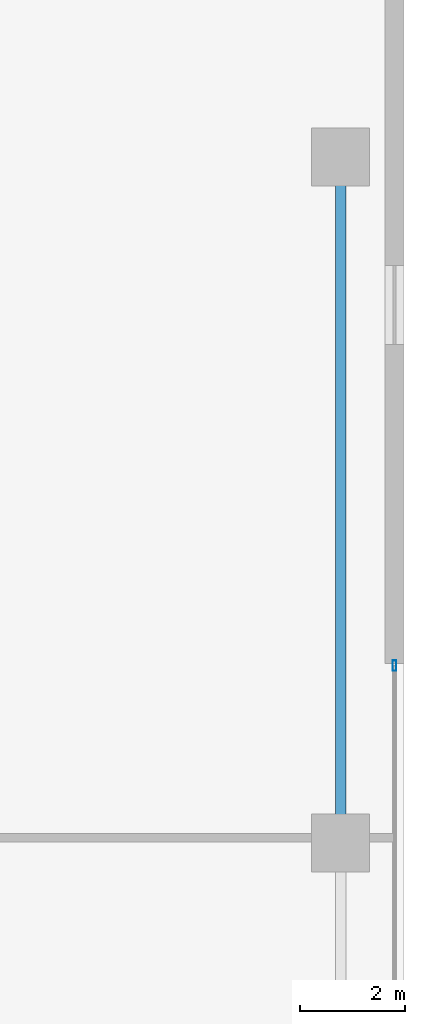
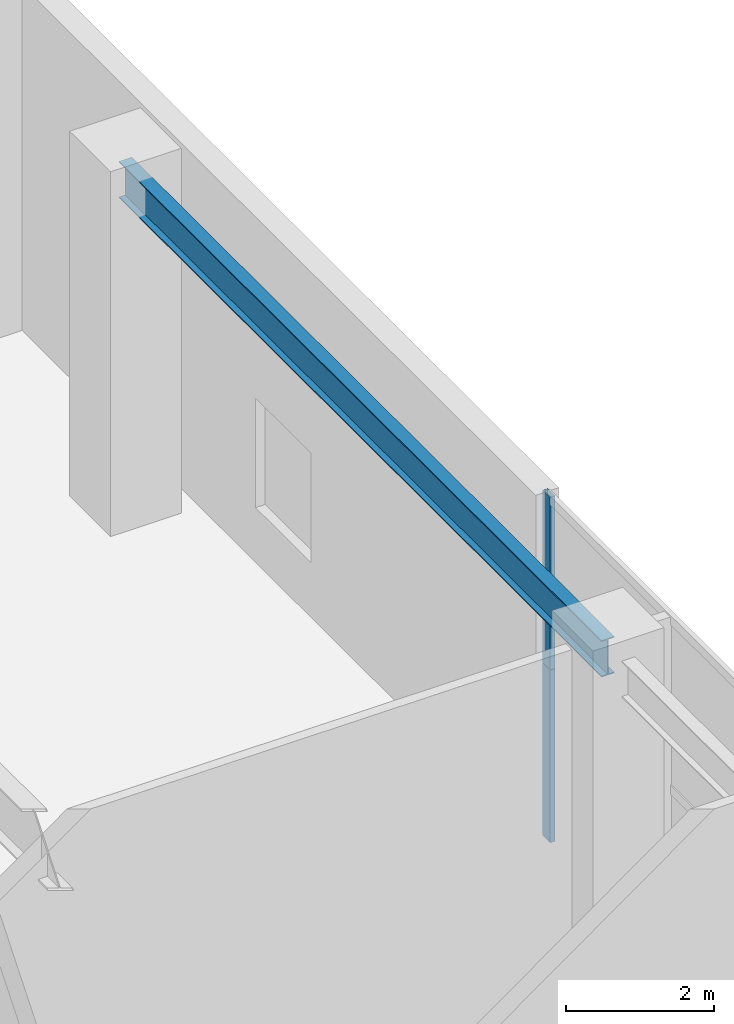
# One storey, part 31 of 39: 2 members, 1 beam, 1 element without a shape of its own.
"""IFC4 building model written with IfcOpenShell, lengths in metres."""

from ifc_helpers import new_model, si_unit, direction, frame, origin, origin_2d, place, context, subcontext, project, spatial, hollow_rectangle, i_section, extrude, source, transform, mapped, material, layer, layer_set, material_profile, profile_set, type_object, element, aggregate, save


model = new_model("IFC4")

# Units and contexts
model_context = context("Model", 3, precision=1e-05, world=origin(), true_north=direction((0.0, 1.0)))
body_context = subcontext(model_context, "Body", "Model", "MODEL_VIEW")
ifc_project = project(units=[si_unit("LENGTHUNIT", "METRE"), si_unit("AREAUNIT", "SQUARE_METRE"), si_unit("VOLUMEUNIT", "CUBIC_METRE"), si_unit("PLANEANGLEUNIT", "RADIAN"), si_unit("MASSUNIT", "GRAM", prefix="KILO"), si_unit("THERMODYNAMICTEMPERATUREUNIT", "KELVIN"), si_unit("POWERUNIT", "WATT")], contexts=[model_context])

# Site, building, storey
site_placement = place(None, origin())
site = spatial("IfcSite", under=ifc_project, at=site_placement, CompositionType="ELEMENT")
building_placement = place(site_placement, origin())
building = spatial("IfcBuilding", under=site, at=building_placement, Name="Yuzanri Waterfront Tower", CompositionType="ELEMENT")
storey_placement = place(building_placement, frame((0.0, 0.0, 19.800048828125)))
storey = spatial("IfcBuildingStorey", under=building, at=storey_placement, Name="L05", CompositionType="ELEMENT", Elevation=19.800048828125)

# Beam
ifc_material_1 = material(Name="Steel Q355B", Category="steel")
ifc_material_profile_1 = material_profile(ifc_material_1, i_section(OverallWidth=0.199951171875, OverallDepth=0.60009765625, WebThickness=0.010986328125, FlangeThickness=0.01708984375, at=origin_2d()), Name="HN 600x200x11x17")
ifc_profile_set_1 = profile_set([ifc_material_profile_1], Name="Steel Q355B")
beam_type = type_object("IfcBeamType", Name="Perimeter Spandrel Q355B HN 600x200", PredefinedType="SPANDREL", material=ifc_profile_set_1)
shared_shape_1 = source(origin(), body_context, "Body", "SweptSolid", [
    extrude(i_section(OverallWidth=0.199951171875, OverallDepth=0.60009765625, WebThickness=0.010986328125, FlangeThickness=0.01708984375, at=origin_2d()), origin(), (0.0, 0.0, 1.0), 13.0),
])
beam_placement = place(storey_placement, frame((70.800048828125, 32.199951171875, 5.3798828125), z_axis=(0.0, 1.0, 0.0), x_axis=(-1.0, 0.0, 0.0)))
element("IfcBeam", 1, at=beam_placement, inside=storey, type_object=beam_type, Name="L05 East Podium Spandrel 3", PredefinedType="SPANDREL", context=body_context, shape_type="MappedRepresentation", body=[
    mapped(shared_shape_1, transform((0.0, 0.0, 0.0), scale=1.0)),
])

# Curtain wall, members
ifc_material_2 = material(Name="Anodized Architectural Bronze", Category="metal")
ifc_layer = layer(ifc_material_2, 0.159912109375)
ifc_layer_set = layer_set([ifc_layer], Name="Anodized Architectural Bronze")
curtain_wall_type = type_object("IfcCurtainWallType", Name="Anodized Bronze Podium Waterfront Double-Height Unitized Curtain Wall 8400", PredefinedType="NOTDEFINED", material=ifc_layer_set)
curtain_wall_placement = place(storey_placement, origin())
curtain_wall = element("IfcCurtainWall", 2, at=curtain_wall_placement, inside=storey, type_object=curtain_wall_type, Name="L05 Curtain Wall CW-L05-E", PredefinedType="NOTDEFINED")
ifc_material_3 = material(Name="Anodized Architectural Bronze", Category="metal")
ifc_material_profile_2 = material_profile(ifc_material_3, hollow_rectangle(XDim=0.074951171875, YDim=0.199951171875, WallThickness=0.00390625, at=origin_2d()), Name="CWM 75x200")
ifc_profile_set_2 = profile_set([ifc_material_profile_2], Name="Anodized Architectural Bronze")
member_type = type_object("IfcMemberType", Name="Anodized Bronze Primary Curtain-Wall Mullion 75x200", PredefinedType="MULLION", material=ifc_profile_set_2)
shared_shape_2 = source(origin(), body_context, "Body", "SweptSolid", [
    extrude(hollow_rectangle(XDim=0.074951171875, YDim=0.199951171875, WallThickness=0.00390625, at=origin_2d()), origin(), (0.0, 0.0, 1.0), 2.837890625),
])
member_1_placement = place(storey_placement, frame((71.820068359375, 35.56005859375, 0.0), z_axis=(0.0, 0.0, 1.0), x_axis=(1.0, 0.0, 0.0)))
member_1 = element("IfcMember", 3, at=member_1_placement, type_object=member_type, Name="CW-L05-E Lower Mullion 02", PredefinedType="MULLION", context=body_context, shape_type="MappedRepresentation", body=[
    mapped(shared_shape_2, transform((0.0, 0.0, 0.0), scale=1.0)),
])
member_2_placement = place(storey_placement, frame((71.820068359375, 35.56005859375, 2.842041015625), z_axis=(0.0, 0.0, 1.0), x_axis=(1.0, 0.0, 0.0)))
member_2 = element("IfcMember", 4, at=member_2_placement, type_object=member_type, Name="CW-L05-E Upper Mullion 02", PredefinedType="MULLION", context=body_context, shape_type="MappedRepresentation", body=[
    mapped(shared_shape_2, transform((0.0, 0.0, 0.0), scale=1.0)),
])
aggregate(curtain_wall, [member_1, member_2])

save(model, "model.ifc")
